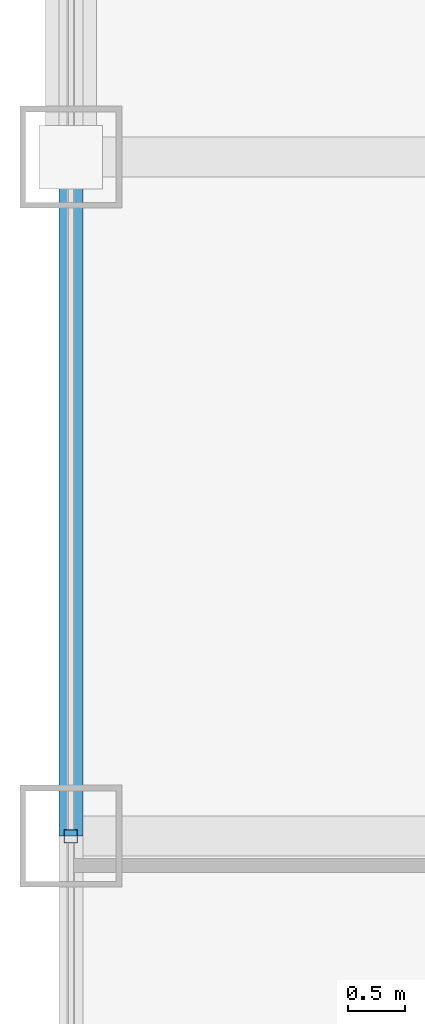
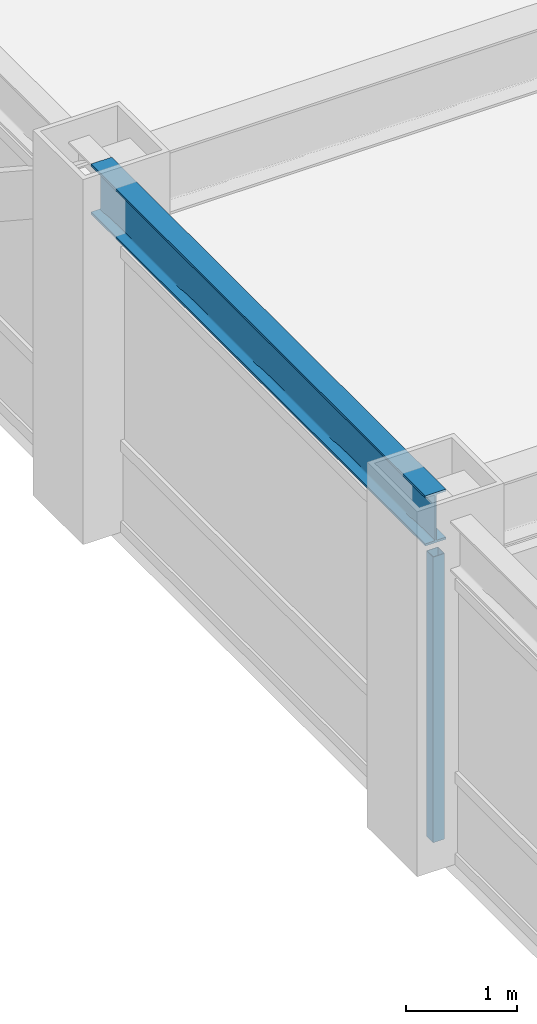
# One storey, part 6 of 22: 1 beam, 1 member, 1 element without a shape of its own.
"""IFC4 building model written with IfcOpenShell, lengths in metres."""

from ifc_helpers import new_model, si_unit, direction, frame, origin, origin_2d, place, context, subcontext, project, spatial, hollow_rectangle, i_section, extrude, source, transform, mapped, material, material_profile, profile_set, type_object, element, aggregate, save


model = new_model("IFC4")

# Units and contexts
model_context = context("Model", 3, precision=1e-05, world=origin(), true_north=direction((0.0, 1.0)))
body_context = subcontext(model_context, "Body", "Model", "MODEL_VIEW")
ifc_project = project(units=[si_unit("LENGTHUNIT", "METRE"), si_unit("AREAUNIT", "SQUARE_METRE"), si_unit("VOLUMEUNIT", "CUBIC_METRE"), si_unit("PLANEANGLEUNIT", "RADIAN"), si_unit("MASSUNIT", "GRAM", prefix="KILO")], contexts=[model_context])

# Site, building, storey
site_placement = place(None, origin())
site = spatial("IfcSite", under=ifc_project, at=site_placement, CompositionType="ELEMENT")
building_placement = place(site_placement, origin())
building = spatial("IfcBuilding", under=site, at=building_placement, Name="Khorayat Bourse Tower", CompositionType="ELEMENT")
storey_placement = place(building_placement, frame((0.0, 0.0, 309.5)))
storey = spatial("IfcBuildingStorey", under=building, at=storey_placement, Name="L73", CompositionType="ELEMENT", Elevation=309.5)

# Beam
ifc_material_1 = material(Name="Steel ASTM A992 Grade 50", Category="steel")
ifc_material_profile_1 = material_profile(ifc_material_1, i_section(OverallWidth=0.214111328125, OverallDepth=0.549072265625, WebThickness=0.0146484375, FlangeThickness=0.023681640625, FilletRadius=0.013916015625, at=origin_2d()), Name="W530X138")
ifc_profile_set_1 = profile_set([ifc_material_profile_1], Name="Steel ASTM A992 Grade 50")
beam_type = type_object("IfcBeamType", Name="BM-SPAN-530", PredefinedType="SPANDREL", material=ifc_profile_set_1)
shared_shape_1 = source(origin(), body_context, "Body", "SweptSolid", [
    extrude(i_section(OverallWidth=0.214111328125, OverallDepth=0.549072265625, WebThickness=0.0146484375, FlangeThickness=0.023681640625, FilletRadius=0.013916015625, at=origin_2d()), origin(), (0.0, 0.0, 1.0), 6.0),
])
beam_placement = place(storey_placement, frame((-28.0, 0.0, 3.505615234375), z_axis=(0.0, 1.0, 0.0), x_axis=(-1.0, 0.0, 0.0)))
element("IfcBeam", 1, at=beam_placement, inside=storey, type_object=beam_type, Name="L73 BM-SPAN-530 BM-L73-SPN-057", PredefinedType="SPANDREL", context=body_context, shape_type="MappedRepresentation", body=[
    mapped(shared_shape_1, transform((0.0, 0.0, 0.0), scale=1.0)),
])

# Curtain wall, member
ifc_material_2 = material(Name="Aluminium EN AW-6063 T6", Category="aluminium")
curtain_wall_type = type_object("IfcCurtainWallType", Name="CW-SYS-04", PredefinedType="NOTDEFINED", material=ifc_material_2)
curtain_wall_placement = place(storey_placement, origin())
curtain_wall = element("IfcCurtainWall", 2, at=curtain_wall_placement, inside=storey, type_object=curtain_wall_type, Name="L73 Curtain Wall CW-L73-W1", PredefinedType="NOTDEFINED")
ifc_material_profile_2 = material_profile(ifc_material_2, hollow_rectangle(XDim=0.1201171875, YDim=0.1201171875, WallThickness=0.0048828125, at=origin_2d()), Name="ALU 120x120x5")
ifc_profile_set_2 = profile_set([ifc_material_profile_2], Name="Aluminium EN AW-6063 T6")
member_type = type_object("IfcMemberType", Name="CWM-VERT-120", PredefinedType="MULLION", material=ifc_profile_set_2)
shared_shape_2 = source(origin(), body_context, "Body", "SweptSolid", [
    extrude(hollow_rectangle(XDim=0.1201171875, YDim=0.1201171875, WallThickness=0.0048828125, at=origin_2d()), origin(), (0.0, 0.0, 1.0), 3.1298828125),
])
member_placement = place(storey_placement, frame((-28.0, 0.0, 0.0), z_axis=(0.0, 0.0, 1.0), x_axis=(-1.0, 0.0, 0.0)))
member = element("IfcMember", 3, at=member_placement, type_object=member_type, Name="CW-L73-W1 Vertical Mullion 2", PredefinedType="MULLION", context=body_context, shape_type="MappedRepresentation", body=[
    mapped(shared_shape_2, transform((0.0, 0.0, 0.0), scale=1.0)),
])
aggregate(curtain_wall, [member])

save(model, "model.ifc")
